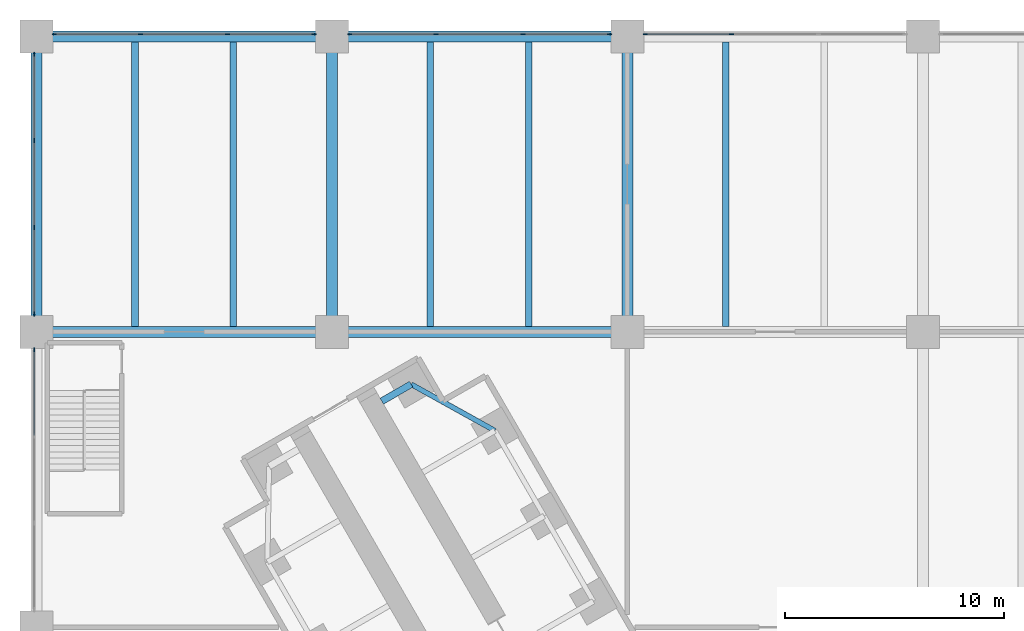
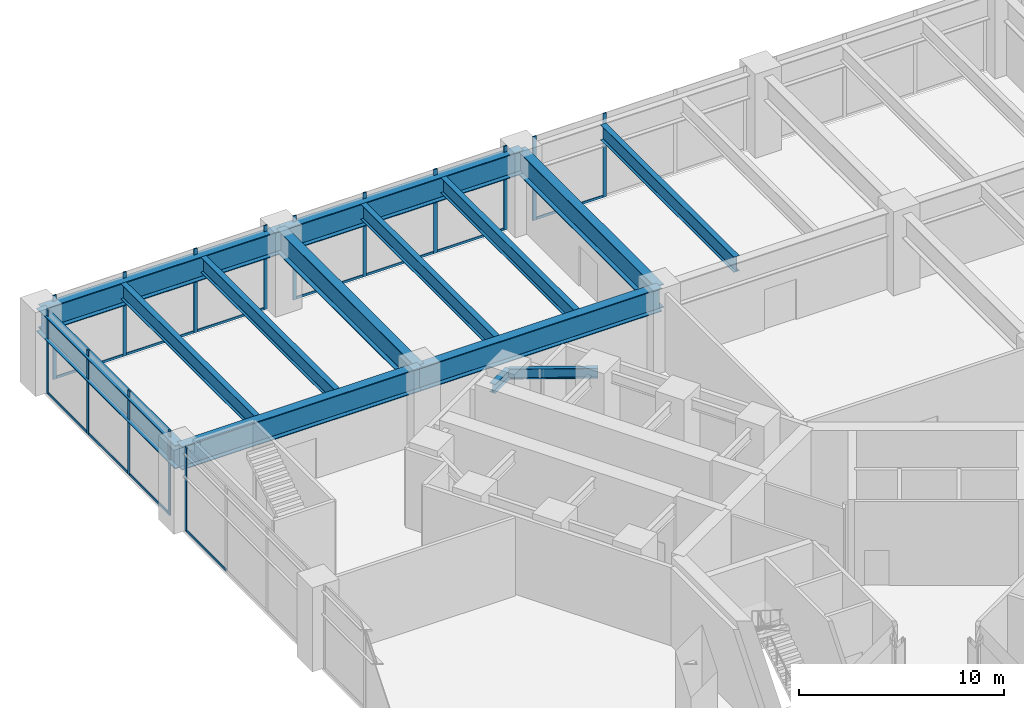
# One storey, part 13 of 32: 26 members, 14 beams, 5 elements without a shape of their own.
"""IFC4 building model written with IfcOpenShell, lengths in metres."""

import ifcopenshell
import ifcopenshell.guid

model = None  # the IFC model being written
_history = None  # IfcOwnerHistory: only IFC2X3 demands one
_inside = {}  # id of a spatial element -> (the spatial element, [elements in it])
_under = {}  # id of a project, library or spatial element -> (it, [spatial elements below it])
_declared = {}  # id of a project -> (the project, [libraries it declares])
_typed = {}  # id of a type object -> (the type object, [elements of that type])
_made_of = {}  # id of a material, layer set ... -> (it, [elements and type objects made of it])


def new_model(schema):
    """Start an empty IFC model of exactly this schema.

    Asked for "IFC4X3", IfcOpenShell would pick the latest addendum, in which some entities
    have other attributes; the version numbers below select the first issue.
    IFC2X3 requires an IfcOwnerHistory on every rooted entity: one is made here for all.
    """
    global model, _history
    if schema == "IFC4X3":
        model = ifcopenshell.file(schema_version=(4, 3, 0, 0))
    else:
        model = ifcopenshell.file(schema=schema)
    _inside.clear()
    _under.clear()
    _declared.clear()
    _typed.clear()
    _made_of.clear()
    _history = None
    if model.schema == "IFC2X3":
        org = make("IfcOrganization", Name="unknown")
        user = make(
            "IfcPersonAndOrganization",
            ThePerson=make("IfcPerson", FamilyName="unknown"),
            TheOrganization=org,
        )
        app = make(
            "IfcApplication",
            ApplicationDeveloper=org,
            Version="unknown",
            ApplicationFullName="unknown",
            ApplicationIdentifier="unknown",
        )
        _history = make(
            "IfcOwnerHistory",
            OwningUser=user,
            OwningApplication=app,
            ChangeAction="ADDED",
            CreationDate=0,
        )
    return model


def make(cls, **values):
    """One entity of the class cls with the attributes given. An attribute that is None is left unset."""
    return model.create_entity(
        cls, **{name: value for name, value in values.items() if value is not None}
    )


def rooted(cls, **values):
    """An entity with a GlobalId (a new one), such as an element, a storey or a relation."""
    return make(cls, GlobalId=ifcopenshell.guid.new(), OwnerHistory=_history, **values)


def si_unit(unit_type, name, prefix=None):
    """IfcSIUnit, for example si_unit("LENGTHUNIT", "METRE", prefix="MILLI")."""
    return make("IfcSIUnit", UnitType=unit_type, Prefix=prefix, Name=name)


def assignment(units):
    """IfcUnitAssignment: the units of a project."""
    return None if units is None else make("IfcUnitAssignment", Units=units)


def point(xyz):
    """IfcCartesianPoint."""
    return None if xyz is None else make("IfcCartesianPoint", Coordinates=xyz)


def direction(xyz):
    """IfcDirection."""
    return None if xyz is None else make("IfcDirection", DirectionRatios=xyz)


def frame(location, z_axis=None, x_axis=None):
    """IfcAxis2Placement3D, a coordinate frame: its origin and axes. An axis left out is left unset."""
    return make(
        "IfcAxis2Placement3D",
        Location=point(location),
        Axis=direction(z_axis),
        RefDirection=direction(x_axis),
    )


def frame_2d(location, x_axis=None):
    """IfcAxis2Placement2D, a coordinate frame in the plane: its origin and x axis."""
    return make(
        "IfcAxis2Placement2D", Location=point(location), RefDirection=direction(x_axis)
    )


def origin():
    """The frame at (0, 0, 0) with its axes left unset."""
    return frame((0.0, 0.0, 0.0))


def origin_2d():
    """The frame at (0, 0) in the plane with its x axis left unset."""
    return frame_2d((0.0, 0.0))


def place(relative_to, where):
    """IfcLocalPlacement: puts the frame where relative to a parent placement (None: the world)."""
    return make(
        "IfcLocalPlacement", PlacementRelTo=relative_to, RelativePlacement=where
    )


def context(
    kind, dimensions, precision=None, world=None, true_north=None, identifier=None
):
    """IfcGeometricRepresentationContext, for example the 3D "Model" context."""
    return make(
        "IfcGeometricRepresentationContext",
        ContextIdentifier=identifier,
        ContextType=kind,
        CoordinateSpaceDimension=dimensions,
        Precision=precision,
        WorldCoordinateSystem=world,
        TrueNorth=true_north,
    )


def subcontext(parent, identifier, kind, view, scale=None):
    """IfcGeometricRepresentationSubContext, for example "Body" below "Model"."""
    return make(
        "IfcGeometricRepresentationSubContext",
        ContextIdentifier=identifier,
        ContextType=kind,
        ParentContext=parent,
        TargetScale=scale,
        TargetView=view,
    )


def project(units=None, contexts=None):
    """IfcProject with its units and contexts."""
    return rooted(
        "IfcProject",
        Name="project",
        RepresentationContexts=contexts,
        UnitsInContext=assignment(units),
    )


def spatial(cls, under=None, at=None, **own):
    """A site, building, storey or space (cls), placed at a placement, below another one or the project."""
    s = rooted(cls, ObjectPlacement=at, **own)
    if under is not None:
        _under.setdefault(under.id(), (under, []))[1].append(s)
    return s


def profile(cls, at=None, kind="AREA", **sizes):
    """A parametric profile (cls). Its sizes go by their IFC names, for example OverallWidth=200.0."""
    return make(cls, ProfileType=kind, Position=at, **sizes)


def rectangle(**sizes):
    """IfcRectangleProfileDef."""
    return profile("IfcRectangleProfileDef", **sizes)


def i_section(**sizes):
    """IfcIShapeProfileDef."""
    return profile("IfcIShapeProfileDef", **sizes)


def extrude(swept, where, along, depth):
    """IfcExtrudedAreaSolid: the profile swept, set in the frame where, extruded along a direction by depth."""
    return make(
        "IfcExtrudedAreaSolid",
        SweptArea=swept,
        Position=where,
        ExtrudedDirection=direction(along),
        Depth=depth,
    )


def shape(context_of_items, identifier, shape_type, items):
    """IfcShapeRepresentation: the items that make up one representation, for example the "Body"."""
    return make(
        "IfcShapeRepresentation",
        ContextOfItems=context_of_items,
        RepresentationIdentifier=identifier,
        RepresentationType=shape_type,
        Items=items,
    )


def material(Name=None, Category=None):
    """IfcMaterial."""
    return make("IfcMaterial", Name=Name, Category=Category)


def material_profile(
    of_material, cross_section, Name=None, Category=None, Priority=None
):
    """IfcMaterialProfile: a cross section and its material."""
    return make(
        "IfcMaterialProfile",
        Name=Name,
        Material=of_material,
        Profile=cross_section,
        Priority=Priority,
        Category=Category,
    )


def profile_set(profiles, Name=None, composite=None):
    """IfcMaterialProfileSet."""
    return make(
        "IfcMaterialProfileSet",
        Name=Name,
        MaterialProfiles=profiles,
        CompositeProfile=composite,
    )


def made_of(thing, what):
    """Note that an element or type object is made of a material, layer set ...; save() writes the relation."""
    if what is not None:
        _made_of.setdefault(what.id(), (what, []))[1].append(thing)
    return thing


def type_object(cls, material=None, **own):
    """A type object (cls), such as IfcWallType, which elements share."""
    return made_of(rooted(cls, **own), material)


def element(
    cls,
    number,
    at=None,
    inside=None,
    cuts=None,
    type_object=None,
    material=None,
    context=None,
    identifier="Body",
    shape_type=None,
    held_by="IfcProductDefinitionShape",
    body=None,
    shapes=None,
    **own,
):
    """One element of the class cls, such as IfcWall. Its Tag is "e" and its number.

    at: its placement. inside: the storey or other place that contains it. cuts: it is an
    opening in that element (IfcRelVoidsElement). A single representation is given by context,
    identifier, shape_type and body (its items); several are given by shapes. held_by: the class
    of the entity that holds the representations. save() writes the other relations.
    """
    e = rooted(cls, Tag="e%d" % number, ObjectPlacement=at, **own)
    if body is not None:
        shapes = [shape(context, identifier, shape_type, body)]
    if shapes is not None:
        e.Representation = make(held_by, Representations=shapes)
    if inside is not None:
        _inside.setdefault(inside.id(), (inside, []))[1].append(e)
    if cuts is not None:
        rooted(
            "IfcRelVoidsElement", RelatingBuildingElement=cuts, RelatedOpeningElement=e
        )
    if type_object is not None:
        _typed.setdefault(type_object.id(), (type_object, []))[1].append(e)
    return made_of(e, material)


def aggregate(whole, parts):
    """IfcRelAggregates: a whole, such as a stair, and the parts it consists of."""
    return rooted("IfcRelAggregates", RelatingObject=whole, RelatedObjects=parts)


def save(model, path):
    """Write the relations noted so far, then the file.

    IfcRelAggregates (storeys below a building ...), IfcRelContainedInSpatialStructure (elements
    in a storey), IfcRelDefinesByType, IfcRelAssociatesMaterial and IfcRelDeclares: one each for
    every whole, place, type object, material and project.
    """
    for whole, parts in _under.values():
        aggregate(whole, parts)
    for where, things in _inside.values():
        rooted(
            "IfcRelContainedInSpatialStructure",
            RelatedElements=things,
            RelatingStructure=where,
        )
    for kind, things in _typed.values():
        rooted("IfcRelDefinesByType", RelatedObjects=things, RelatingType=kind)
    for what, things in _made_of.values():
        rooted("IfcRelAssociatesMaterial", RelatedObjects=things, RelatingMaterial=what)
    for by, libraries in _declared.values():
        rooted("IfcRelDeclares", RelatingContext=by, RelatedDefinitions=libraries)
    model.write(path)


model = new_model("IFC4")

# Units and contexts
model_context = context("Model", 3, precision=1e-05, world=origin(), true_north=direction((0.0, 1.0)))
body_context = subcontext(model_context, "Body", "Model", "MODEL_VIEW")
ifc_project = project(units=[si_unit("LENGTHUNIT", "METRE"), si_unit("AREAUNIT", "SQUARE_METRE"), si_unit("VOLUMEUNIT", "CUBIC_METRE"), si_unit("PLANEANGLEUNIT", "RADIAN"), si_unit("MASSUNIT", "GRAM", prefix="KILO")], contexts=[model_context])

# Site, building, storey
site_placement = place(None, origin())
site = spatial("IfcSite", under=ifc_project, at=site_placement, CompositionType="ELEMENT")
building_placement = place(site_placement, origin())
building = spatial("IfcBuilding", under=site, at=building_placement, Name="Upepo Twin Towers", CompositionType="ELEMENT")
storey_placement = place(building_placement, frame((0.0, 0.0, 5.5)))
storey = spatial("IfcBuildingStorey", under=building, at=storey_placement, Name="L01", CompositionType="ELEMENT", Elevation=5.5)

# Beams
ifc_material_1 = material(Name="Steel S355", Category="steel")
ifc_material_profile_1 = material_profile(ifc_material_1, i_section(OverallWidth=0.5, OverallDepth=1.39990234375, WebThickness=0.02490234375, FlangeThickness=0.050048828125, FilletRadius=0.008056640625, at=origin_2d()), Name="PG 1400x500x25x50")
ifc_profile_set_1 = profile_set([ifc_material_profile_1], Name="Steel S355")
beam_type_1 = type_object("IfcBeamType", Name="Beam PG 1400x500x25x50", PredefinedType="BEAM", material=ifc_profile_set_1)
for number, where, z_axis, x_axis, name in (
    (1, (-27.0, 27.0, 3.949951171875), (1.0, 0.0, 0.0), (0.0, 1.0, 0.0), "Podium girder F/1-2"),
    (2, (-13.5, 27.0, 3.949951171875), (1.0, 0.0, 0.0), (0.0, 1.0, 0.0), "Podium girder F/2-3"),
    (3, (-27.0, 40.5, 3.949951171875), (1.0, 0.0, 0.0), (0.0, 1.0, 0.0), "Podium girder G/1-2"),
    (4, (-13.5, 40.5, 3.949951171875), (1.0, 0.0, 0.0), (0.0, 1.0, 0.0), "Podium girder G/2-3"),
    (5, (-27.0, 27.0, 3.949951171875), (0.0, 1.0, 0.0), (-1.0, 0.0, 0.0), "Podium girder 1/F-G"),
    (6, (-13.5, 27.0, 3.949951171875), (0.0, 1.0, 0.0), (-1.0, 0.0, 0.0), "Podium girder 2/F-G"),
    (7, (0.0, 27.0, 3.949951171875), (0.0, 1.0, 0.0), (-1.0, 0.0, 0.0), "Podium girder 3/F-G"),
):
    element("IfcBeam", number, at=place(storey_placement, frame(where, z_axis=z_axis, x_axis=x_axis)), inside=storey, type_object=beam_type_1, Name=name, PredefinedType="BEAM", context=body_context, shape_type="SweptSolid", body=[
        extrude(i_section(OverallWidth=0.5, OverallDepth=1.39990234375, WebThickness=0.02490234375, FlangeThickness=0.050048828125, FilletRadius=0.008056640625, at=origin_2d()), origin(), (0.0, 0.0, 1.0), 13.5),
    ])
ifc_material_2 = material(Name="Steel S355", Category="steel")
ifc_material_profile_2 = material_profile(ifc_material_2, i_section(OverallWidth=0.31201171875, OverallDepth=0.54345703125, WebThickness=0.0126953125, FlangeThickness=0.020263671875, FilletRadius=0.0126953125, at=origin_2d()), Name="UB 533x312x150")
ifc_profile_set_2 = profile_set([ifc_material_profile_2], Name="Steel S355")
beam_type_2 = type_object("IfcBeamType", Name="Beam UB 533x312x150", PredefinedType="BEAM", material=ifc_profile_set_2)
beam_1_placement = place(storey_placement, frame((-9.87744140625, 24.608154296875, 4.378173828125), z_axis=(-0.866043940782, -0.499967891604, 0.0), x_axis=(0.499967891604, -0.866043940782, 0.0)))
element("IfcBeam", 8, at=beam_1_placement, inside=storey, type_object=beam_type_2, Name="T1 nose beam BR", PredefinedType="BEAM", context=body_context, shape_type="SweptSolid", body=[
    extrude(i_section(OverallWidth=0.31201171875, OverallDepth=0.54345703125, WebThickness=0.0126953125, FlangeThickness=0.020263671875, FilletRadius=0.0126953125, at=origin_2d()), origin(), (0.0, 0.0, 1.0), 1.5498046875),
])
ifc_material_3 = material(Name="Steel S355", Category="steel")
ifc_material_profile_3 = material_profile(ifc_material_3, i_section(OverallWidth=0.228271484375, OverallDepth=0.607666015625, WebThickness=0.010986328125, FlangeThickness=0.017333984375, FilletRadius=0.0126953125, at=origin_2d()), Name="UB 610x229x113")
ifc_profile_set_3 = profile_set([ifc_material_profile_3], Name="Steel S355")
beam_type_3 = type_object("IfcBeamType", Name="Beam UB 610x229x113", PredefinedType="BEAM", material=ifc_profile_set_3)
beam_2_placement = place(storey_placement, frame((-6.053955078125, 22.485595703125, 4.34619140625), z_axis=(-0.874312600038, 0.485363242752, 0.0), x_axis=(-0.485363242752, -0.874312600038, 0.0)))
element("IfcBeam", 9, at=beam_2_placement, inside=storey, type_object=beam_type_3, Name="T1 nose edge beam BR", PredefinedType="BEAM", context=body_context, shape_type="SweptSolid", body=[
    extrude(i_section(OverallWidth=0.228271484375, OverallDepth=0.607666015625, WebThickness=0.010986328125, FlangeThickness=0.017333984375, FilletRadius=0.0126953125, at=origin_2d()), origin(), (0.0, 0.0, 1.0), 4.373046875),
])

# Curtain wall, members
ifc_material_4 = material(Name="Aluminium and clear glass", Category="aluminium")
curtain_wall_type = type_object("IfcCurtainWallType", Name="Podium curtain wall PW1", PredefinedType="NOTDEFINED", material=ifc_material_4)
curtain_wall_1_placement = place(storey_placement, origin())
curtain_wall_1 = element("IfcCurtainWall", 10, at=curtain_wall_1_placement, inside=storey, type_object=curtain_wall_type, Name="Podium L01 curtain wall N7", PredefinedType="NOTDEFINED")
ifc_material_5 = material(Name="Aluminium mullion", Category="aluminium")
ifc_material_profile_4 = material_profile(ifc_material_5, rectangle(XDim=0.06494140625, YDim=0.199951171875, at=origin_2d()), Name="MULLION 65x200 PODIUM")
ifc_profile_set_4 = profile_set([ifc_material_profile_4], Name="Aluminium mullion")
member_type_1 = type_object("IfcMemberType", Name="Mullion 65x200 PW1", PredefinedType="MULLION", material=ifc_profile_set_4)
member_1_placement = place(storey_placement, frame((4.76171875, 40.60009765625, 0.0), z_axis=(0.0, 0.0, 1.0), x_axis=(0.0, -1.0, 0.0)))
member_1 = element("IfcMember", 11, at=member_1_placement, type_object=member_type_1, Name="Podium L01 curtain wall N7 mullion 3", PredefinedType="MULLION", context=body_context, shape_type="SweptSolid", body=[
    extrude(rectangle(XDim=0.06494140625, YDim=0.199951171875, at=origin_2d()), origin(), (0.0, 0.0, 1.0), 5.0),
])
member_2_placement = place(storey_placement, frame((0.8173828125, 40.60009765625, 0.0), z_axis=(0.0, 0.0, 1.0), x_axis=(0.0, -1.0, 0.0)))
member_2 = element("IfcMember", 12, at=member_2_placement, type_object=member_type_1, Name="Podium L01 curtain wall N7 mullion 4", PredefinedType="MULLION", context=body_context, shape_type="SweptSolid", body=[
    extrude(rectangle(XDim=0.06494140625, YDim=0.199951171875, at=origin_2d()), origin(), (0.0, 0.0, 1.0), 5.0),
])

curtain_wall_2_placement = place(storey_placement, origin())
curtain_wall_2 = element("IfcCurtainWall", 13, at=curtain_wall_2_placement, inside=storey, type_object=curtain_wall_type, Name="Podium L01 curtain wall N8", PredefinedType="NOTDEFINED")
member_3_placement = place(storey_placement, frame((-0.8173828125, 40.60009765625, 0.0), z_axis=(0.0, 0.0, 1.0), x_axis=(0.0, -1.0, 0.0)))
member_3 = element("IfcMember", 14, at=member_3_placement, type_object=member_type_1, Name="Podium L01 curtain wall N8 mullion 1", PredefinedType="MULLION", context=body_context, shape_type="SweptSolid", body=[
    extrude(rectangle(XDim=0.06494140625, YDim=0.199951171875, at=origin_2d()), origin(), (0.0, 0.0, 1.0), 5.0),
])
member_4_placement = place(storey_placement, frame((-4.76171875, 40.60009765625, 0.0), z_axis=(0.0, 0.0, 1.0), x_axis=(0.0, -1.0, 0.0)))
member_4 = element("IfcMember", 15, at=member_4_placement, type_object=member_type_1, Name="Podium L01 curtain wall N8 mullion 2", PredefinedType="MULLION", context=body_context, shape_type="SweptSolid", body=[
    extrude(rectangle(XDim=0.06494140625, YDim=0.199951171875, at=origin_2d()), origin(), (0.0, 0.0, 1.0), 5.0),
])
member_5_placement = place(storey_placement, frame((-8.73828125, 40.60009765625, 0.0), z_axis=(0.0, 0.0, 1.0), x_axis=(0.0, -1.0, 0.0)))
member_5 = element("IfcMember", 16, at=member_5_placement, type_object=member_type_1, Name="Podium L01 curtain wall N8 mullion 3", PredefinedType="MULLION", context=body_context, shape_type="SweptSolid", body=[
    extrude(rectangle(XDim=0.06494140625, YDim=0.199951171875, at=origin_2d()), origin(), (0.0, 0.0, 1.0), 5.0),
])
member_6_placement = place(storey_placement, frame((-12.6826171875, 40.60009765625, 0.0), z_axis=(0.0, 0.0, 1.0), x_axis=(0.0, -1.0, 0.0)))
member_6 = element("IfcMember", 17, at=member_6_placement, type_object=member_type_1, Name="Podium L01 curtain wall N8 mullion 4", PredefinedType="MULLION", context=body_context, shape_type="SweptSolid", body=[
    extrude(rectangle(XDim=0.06494140625, YDim=0.199951171875, at=origin_2d()), origin(), (0.0, 0.0, 1.0), 5.0),
])

curtain_wall_3_placement = place(storey_placement, origin())
curtain_wall_3 = element("IfcCurtainWall", 18, at=curtain_wall_3_placement, inside=storey, type_object=curtain_wall_type, Name="Podium L01 curtain wall N9", PredefinedType="NOTDEFINED")
member_7_placement = place(storey_placement, frame((-14.3173828125, 40.60009765625, 0.0), z_axis=(0.0, 0.0, 1.0), x_axis=(0.0, -1.0, 0.0)))
member_7 = element("IfcMember", 19, at=member_7_placement, type_object=member_type_1, Name="Podium L01 curtain wall N9 mullion 1", PredefinedType="MULLION", context=body_context, shape_type="SweptSolid", body=[
    extrude(rectangle(XDim=0.06494140625, YDim=0.199951171875, at=origin_2d()), origin(), (0.0, 0.0, 1.0), 5.0),
])
member_8_placement = place(storey_placement, frame((-18.26171875, 40.60009765625, 0.0), z_axis=(0.0, 0.0, 1.0), x_axis=(0.0, -1.0, 0.0)))
member_8 = element("IfcMember", 20, at=member_8_placement, type_object=member_type_1, Name="Podium L01 curtain wall N9 mullion 2", PredefinedType="MULLION", context=body_context, shape_type="SweptSolid", body=[
    extrude(rectangle(XDim=0.06494140625, YDim=0.199951171875, at=origin_2d()), origin(), (0.0, 0.0, 1.0), 5.0),
])
member_9_placement = place(storey_placement, frame((-22.23828125, 40.60009765625, 0.0), z_axis=(0.0, 0.0, 1.0), x_axis=(0.0, -1.0, 0.0)))
member_9 = element("IfcMember", 21, at=member_9_placement, type_object=member_type_1, Name="Podium L01 curtain wall N9 mullion 3", PredefinedType="MULLION", context=body_context, shape_type="SweptSolid", body=[
    extrude(rectangle(XDim=0.06494140625, YDim=0.199951171875, at=origin_2d()), origin(), (0.0, 0.0, 1.0), 5.0),
])
member_10_placement = place(storey_placement, frame((-26.1826171875, 40.60009765625, 0.0), z_axis=(0.0, 0.0, 1.0), x_axis=(0.0, -1.0, 0.0)))
member_10 = element("IfcMember", 22, at=member_10_placement, type_object=member_type_1, Name="Podium L01 curtain wall N9 mullion 4", PredefinedType="MULLION", context=body_context, shape_type="SweptSolid", body=[
    extrude(rectangle(XDim=0.06494140625, YDim=0.199951171875, at=origin_2d()), origin(), (0.0, 0.0, 1.0), 5.0),
])

curtain_wall_4_placement = place(storey_placement, origin())
curtain_wall_4 = element("IfcCurtainWall", 23, at=curtain_wall_4_placement, inside=storey, type_object=curtain_wall_type, Name="Podium L01 curtain wall W1", PredefinedType="NOTDEFINED")
member_11_placement = place(storey_placement, frame((-27.10009765625, 39.6826171875, 0.0), z_axis=(0.0, 0.0, 1.0), x_axis=(1.0, 0.0, 0.0)))
member_11 = element("IfcMember", 24, at=member_11_placement, type_object=member_type_1, Name="Podium L01 curtain wall W1 mullion 1", PredefinedType="MULLION", context=body_context, shape_type="SweptSolid", body=[
    extrude(rectangle(XDim=0.06494140625, YDim=0.199951171875, at=origin_2d()), origin(), (0.0, 0.0, 1.0), 5.0),
])
member_12_placement = place(storey_placement, frame((-27.10009765625, 35.73828125, 0.0), z_axis=(0.0, 0.0, 1.0), x_axis=(1.0, 0.0, 0.0)))
member_12 = element("IfcMember", 25, at=member_12_placement, type_object=member_type_1, Name="Podium L01 curtain wall W1 mullion 2", PredefinedType="MULLION", context=body_context, shape_type="SweptSolid", body=[
    extrude(rectangle(XDim=0.06494140625, YDim=0.199951171875, at=origin_2d()), origin(), (0.0, 0.0, 1.0), 5.0),
])
member_13_placement = place(storey_placement, frame((-27.10009765625, 31.76171875, 0.0), z_axis=(0.0, 0.0, 1.0), x_axis=(1.0, 0.0, 0.0)))
member_13 = element("IfcMember", 26, at=member_13_placement, type_object=member_type_1, Name="Podium L01 curtain wall W1 mullion 3", PredefinedType="MULLION", context=body_context, shape_type="SweptSolid", body=[
    extrude(rectangle(XDim=0.06494140625, YDim=0.199951171875, at=origin_2d()), origin(), (0.0, 0.0, 1.0), 5.0),
])
member_14_placement = place(storey_placement, frame((-27.10009765625, 27.8173828125, 0.0), z_axis=(0.0, 0.0, 1.0), x_axis=(1.0, 0.0, 0.0)))
member_14 = element("IfcMember", 27, at=member_14_placement, type_object=member_type_1, Name="Podium L01 curtain wall W1 mullion 4", PredefinedType="MULLION", context=body_context, shape_type="SweptSolid", body=[
    extrude(rectangle(XDim=0.06494140625, YDim=0.199951171875, at=origin_2d()), origin(), (0.0, 0.0, 1.0), 5.0),
])

# Curtain wall, member
curtain_wall_5_placement = place(storey_placement, origin())
curtain_wall_5 = element("IfcCurtainWall", 28, at=curtain_wall_5_placement, inside=storey, type_object=curtain_wall_type, Name="Podium L01 curtain wall W2", PredefinedType="NOTDEFINED")
member_15_placement = place(storey_placement, frame((-27.10009765625, 26.1826171875, 0.0), z_axis=(0.0, 0.0, 1.0), x_axis=(1.0, 0.0, 0.0)))
member_15 = element("IfcMember", 29, at=member_15_placement, type_object=member_type_1, Name="Podium L01 curtain wall W2 mullion 1", PredefinedType="MULLION", context=body_context, shape_type="SweptSolid", body=[
    extrude(rectangle(XDim=0.06494140625, YDim=0.199951171875, at=origin_2d()), origin(), (0.0, 0.0, 1.0), 5.0),
])

# Beams
ifc_material_6 = material(Name="Steel S355", Category="steel")
ifc_material_profile_5 = material_profile(ifc_material_6, i_section(OverallWidth=0.305419921875, OverallDepth=0.91845703125, WebThickness=0.017333984375, FlangeThickness=0.02783203125, FilletRadius=0.01904296875, at=origin_2d()), Name="UB 914x305x253")
ifc_profile_set_5 = profile_set([ifc_material_profile_5], Name="Steel S355")
beam_type_4 = type_object("IfcBeamType", Name="Secondary beam UB 914x305x253", PredefinedType="JOIST", material=ifc_profile_set_5)
for number, where, z_axis, x_axis, name in (
    (30, (-22.5, 27.25, 4.19091796875), (0.0, 1.0, 0.0), (-1.0, 0.0, 0.0), "Podium secondary beam F1.1"),
    (31, (-18.0, 27.25, 4.19091796875), (0.0, 1.0, 0.0), (-1.0, 0.0, 0.0), "Podium secondary beam F1.2"),
    (32, (-9.0, 27.25, 4.19091796875), (0.0, 1.0, 0.0), (-1.0, 0.0, 0.0), "Podium secondary beam F2.1"),
    (33, (-4.5, 27.25, 4.19091796875), (0.0, 1.0, 0.0), (-1.0, 0.0, 0.0), "Podium secondary beam F2.2"),
    (34, (4.5, 27.25, 4.19091796875), (0.0, 1.0, 0.0), (-1.0, 0.0, 0.0), "Podium secondary beam F3.1"),
):
    element("IfcBeam", number, at=place(storey_placement, frame(where, z_axis=z_axis, x_axis=x_axis)), inside=storey, type_object=beam_type_4, Name=name, PredefinedType="JOIST", context=body_context, shape_type="SweptSolid", body=[
        extrude(i_section(OverallWidth=0.305419921875, OverallDepth=0.91845703125, WebThickness=0.017333984375, FlangeThickness=0.02783203125, FilletRadius=0.01904296875, at=origin_2d()), origin(), (0.0, 0.0, 1.0), 13.0),
    ])

# Member
ifc_material_7 = material(Name="Aluminium transom", Category="aluminium")
ifc_material_profile_6 = material_profile(ifc_material_7, rectangle(XDim=0.06494140625, YDim=0.14990234375, at=origin_2d()), Name="TRANSOM 65x150 PODIUM")
ifc_profile_set_6 = profile_set([ifc_material_profile_6], Name="Aluminium transom")
member_type_2 = type_object("IfcMemberType", Name="Transom 65x150 PW1", PredefinedType="USERDEFINED", material=ifc_profile_set_6)
member_16_placement = place(storey_placement, frame((4.729248046875, 40.60009765625, 0.074951171875), z_axis=(-1.0, 0.0, 0.0), x_axis=(0.0, -1.0, 0.0)))
member_16 = element("IfcMember", 35, at=member_16_placement, type_object=member_type_2, Name="Podium L01 curtain wall N7 transom 3", ObjectType="TRANSOM", PredefinedType="USERDEFINED", context=body_context, shape_type="SweptSolid", body=[
    extrude(rectangle(XDim=0.06494140625, YDim=0.14990234375, at=origin_2d()), origin(), (0.0, 0.0, 1.0), 3.879150390625),
])

aggregate(curtain_wall_1, [member_1, member_2, member_16])

member_17_placement = place(storey_placement, frame((-0.85009765625, 40.60009765625, 0.074951171875), z_axis=(-1.0, 0.0, 0.0), x_axis=(0.0, -1.0, 0.0)))
member_17 = element("IfcMember", 36, at=member_17_placement, type_object=member_type_2, Name="Podium L01 curtain wall N8 transom 1", ObjectType="TRANSOM", PredefinedType="USERDEFINED", context=body_context, shape_type="SweptSolid", body=[
    extrude(rectangle(XDim=0.06494140625, YDim=0.14990234375, at=origin_2d()), origin(), (0.0, 0.0, 1.0), 3.879150390625),
])

member_18_placement = place(storey_placement, frame((-4.794189453125, 40.60009765625, 0.074951171875), z_axis=(-1.0, 0.0, 0.0), x_axis=(0.0, -1.0, 0.0)))
member_18 = element("IfcMember", 37, at=member_18_placement, type_object=member_type_2, Name="Podium L01 curtain wall N8 transom 2", ObjectType="TRANSOM", PredefinedType="USERDEFINED", context=body_context, shape_type="SweptSolid", body=[
    extrude(rectangle(XDim=0.06494140625, YDim=0.14990234375, at=origin_2d()), origin(), (0.0, 0.0, 1.0), 3.91162109375),
])

member_19_placement = place(storey_placement, frame((-8.770751953125, 40.60009765625, 0.074951171875), z_axis=(-1.0, 0.0, 0.0), x_axis=(0.0, -1.0, 0.0)))
member_19 = element("IfcMember", 38, at=member_19_placement, type_object=member_type_2, Name="Podium L01 curtain wall N8 transom 3", ObjectType="TRANSOM", PredefinedType="USERDEFINED", context=body_context, shape_type="SweptSolid", body=[
    extrude(rectangle(XDim=0.06494140625, YDim=0.14990234375, at=origin_2d()), origin(), (0.0, 0.0, 1.0), 3.879150390625),
])

aggregate(curtain_wall_2, [member_3, member_4, member_5, member_6, member_17, member_18, member_19])

member_20_placement = place(storey_placement, frame((-14.35009765625, 40.60009765625, 0.074951171875), z_axis=(-1.0, 0.0, 0.0), x_axis=(0.0, -1.0, 0.0)))
member_20 = element("IfcMember", 39, at=member_20_placement, type_object=member_type_2, Name="Podium L01 curtain wall N9 transom 1", ObjectType="TRANSOM", PredefinedType="USERDEFINED", context=body_context, shape_type="SweptSolid", body=[
    extrude(rectangle(XDim=0.06494140625, YDim=0.14990234375, at=origin_2d()), origin(), (0.0, 0.0, 1.0), 3.879150390625),
])

member_21_placement = place(storey_placement, frame((-18.294189453125, 40.60009765625, 0.074951171875), z_axis=(-1.0, 0.0, 0.0), x_axis=(0.0, -1.0, 0.0)))
member_21 = element("IfcMember", 40, at=member_21_placement, type_object=member_type_2, Name="Podium L01 curtain wall N9 transom 2", ObjectType="TRANSOM", PredefinedType="USERDEFINED", context=body_context, shape_type="SweptSolid", body=[
    extrude(rectangle(XDim=0.06494140625, YDim=0.14990234375, at=origin_2d()), origin(), (0.0, 0.0, 1.0), 3.91162109375),
])

member_22_placement = place(storey_placement, frame((-22.270751953125, 40.60009765625, 0.074951171875), z_axis=(-1.0, 0.0, 0.0), x_axis=(0.0, -1.0, 0.0)))
member_22 = element("IfcMember", 41, at=member_22_placement, type_object=member_type_2, Name="Podium L01 curtain wall N9 transom 3", ObjectType="TRANSOM", PredefinedType="USERDEFINED", context=body_context, shape_type="SweptSolid", body=[
    extrude(rectangle(XDim=0.06494140625, YDim=0.14990234375, at=origin_2d()), origin(), (0.0, 0.0, 1.0), 3.879150390625),
])

aggregate(curtain_wall_3, [member_7, member_8, member_9, member_10, member_20, member_21, member_22])

member_23_placement = place(storey_placement, frame((-27.10009765625, 39.64990234375, 0.074951171875), z_axis=(0.0, -1.0, 0.0), x_axis=(1.0, 0.0, 0.0)))
member_23 = element("IfcMember", 42, at=member_23_placement, type_object=member_type_2, Name="Podium L01 curtain wall W1 transom 1", ObjectType="TRANSOM", PredefinedType="USERDEFINED", context=body_context, shape_type="SweptSolid", body=[
    extrude(rectangle(XDim=0.06494140625, YDim=0.14990234375, at=origin_2d()), origin(), (0.0, 0.0, 1.0), 3.879150390625),
])

member_24_placement = place(storey_placement, frame((-27.10009765625, 35.705810546875, 0.074951171875), z_axis=(0.0, -1.0, 0.0), x_axis=(1.0, 0.0, 0.0)))
member_24 = element("IfcMember", 43, at=member_24_placement, type_object=member_type_2, Name="Podium L01 curtain wall W1 transom 2", ObjectType="TRANSOM", PredefinedType="USERDEFINED", context=body_context, shape_type="SweptSolid", body=[
    extrude(rectangle(XDim=0.06494140625, YDim=0.14990234375, at=origin_2d()), origin(), (0.0, 0.0, 1.0), 3.91162109375),
])

member_25_placement = place(storey_placement, frame((-27.10009765625, 31.729248046875, 0.074951171875), z_axis=(0.0, -1.0, 0.0), x_axis=(1.0, 0.0, 0.0)))
member_25 = element("IfcMember", 44, at=member_25_placement, type_object=member_type_2, Name="Podium L01 curtain wall W1 transom 3", ObjectType="TRANSOM", PredefinedType="USERDEFINED", context=body_context, shape_type="SweptSolid", body=[
    extrude(rectangle(XDim=0.06494140625, YDim=0.14990234375, at=origin_2d()), origin(), (0.0, 0.0, 1.0), 3.879150390625),
])

aggregate(curtain_wall_4, [member_11, member_12, member_13, member_14, member_23, member_24, member_25])

member_26_placement = place(storey_placement, frame((-27.10009765625, 26.14990234375, 0.074951171875), z_axis=(0.0, -1.0, 0.0), x_axis=(1.0, 0.0, 0.0)))
member_26 = element("IfcMember", 45, at=member_26_placement, type_object=member_type_2, Name="Podium L01 curtain wall W2 transom 1", ObjectType="TRANSOM", PredefinedType="USERDEFINED", context=body_context, shape_type="SweptSolid", body=[
    extrude(rectangle(XDim=0.06494140625, YDim=0.14990234375, at=origin_2d()), origin(), (0.0, 0.0, 1.0), 3.879150390625),
])

aggregate(curtain_wall_5, [member_15, member_26])

save(model, "model.ifc")
